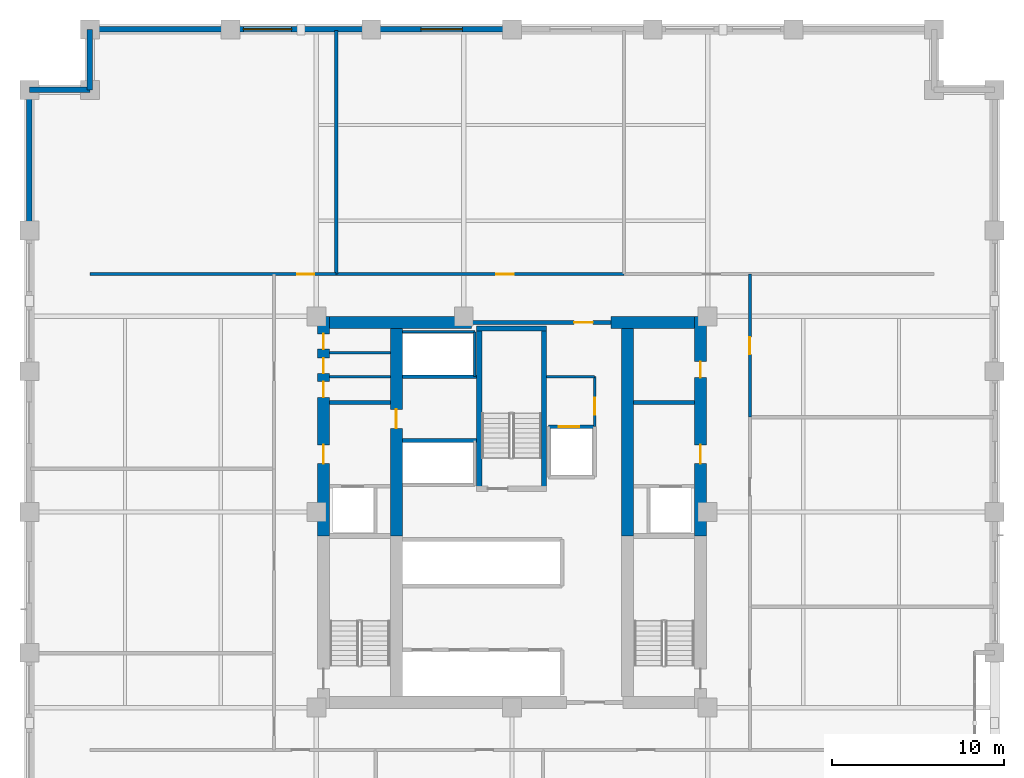
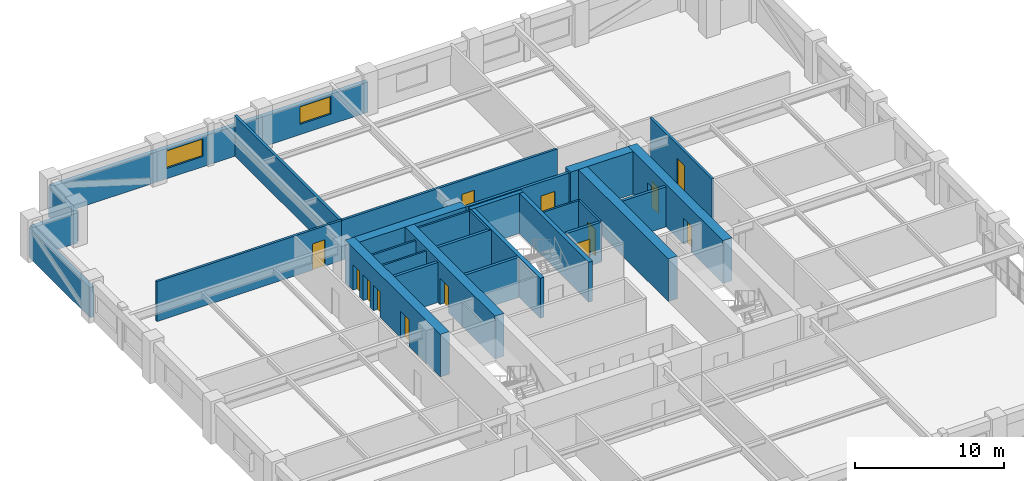
# One storey, part 9 of 13: 31 walls, 13 doors, 2 windows, 15 openings.
"""IFC4 building model written with IfcOpenShell, lengths in metres."""

from ifc_helpers import new_model, si_unit, direction, frame, frame_2d, origin, place, context, subcontext, project, spatial, rectangle, extrude, material, layer, layer_set, type_object, element, fill, save


model = new_model("IFC4")

# Units and contexts
model_context = context("Model", 3, precision=1e-05, world=origin(), true_north=direction((0.0, 1.0)))
body_context = subcontext(model_context, "Body", "Model", "MODEL_VIEW")
ifc_project = project(units=[si_unit("LENGTHUNIT", "METRE"), si_unit("AREAUNIT", "SQUARE_METRE"), si_unit("VOLUMEUNIT", "CUBIC_METRE"), si_unit("PLANEANGLEUNIT", "RADIAN"), si_unit("MASSUNIT", "GRAM", prefix="KILO")], contexts=[model_context])

# Site, building, storey
site_placement = place(None, origin())
site = spatial("IfcSite", under=ifc_project, at=site_placement, CompositionType="ELEMENT")
building_placement = place(site_placement, origin())
building = spatial("IfcBuilding", under=site, at=building_placement, Name="Nhamokura Convention Tower", CompositionType="ELEMENT")
storey_placement = place(building_placement, frame((0.0, 0.0, 92.75)))
storey = spatial("IfcBuildingStorey", under=building, at=storey_placement, Name="L22", CompositionType="ELEMENT", Elevation=92.75)

# Walls
ifc_material_1 = material(Name="Moisture-resistant tile-backer partition", Category="masonry")
ifc_layer_1 = layer(ifc_material_1, 0.139892578125)
ifc_layer_set_1 = layer_set([ifc_layer_1], Name="BathroomWetWall_140")
wall_type_1 = type_object("IfcWallType", Name="BathroomWetWall_140", PredefinedType="STANDARD", material=ifc_layer_set_1)
wall_1_placement = place(storey_placement, frame((21.409912109375, 39.85009765625, 0.0), z_axis=(0.0, 0.0, 1.0), x_axis=(1.0, 0.0, 0.0)))
element("IfcWall", 1, at=wall_1_placement, inside=storey, type_object=wall_type_1, Name="L22 Wall INT-L22-CWNW1", PredefinedType="STANDARD", context=body_context, shape_type="SweptSolid", body=[
    extrude(rectangle(XDim=3.530029296875, YDim=0.139892578125, at=frame_2d((1.76513671875, 0.0))), origin(), (0.0, 0.0, 1.0), 3.280029296875),
])
ifc_material_2 = material(Name="Bronze-pigmented precast concrete C45/55", Category="concrete")
ifc_layer_2 = layer(ifc_material_2, 0.320068359375)
ifc_layer_set_2 = layer_set([ifc_layer_2], Name="BronzePrecastSpandrel_320")
wall_type_2 = type_object("IfcWallType", Name="BronzePrecastSpandrel_320", PredefinedType="USERDEFINED", material=ifc_layer_set_2)
wall_2_placement = place(storey_placement, frame((7.5, 60.0, 0.0), z_axis=(0.0, 0.0, 1.0), x_axis=(1.0, 0.0, 0.0)))
element("IfcWall", 2, at=wall_2_placement, inside=storey, type_object=wall_type_2, Name="L22 Braced-Bay Precast Wall NORTH 0", ObjectType="SPANDREL_WALL", PredefinedType="USERDEFINED", context=body_context, shape_type="SweptSolid", body=[
    extrude(rectangle(XDim=8.166748046875, YDim=0.320068359375, at=frame_2d((4.08349609375, 0.0))), origin(), (0.0, 0.0, 1.0), 2.47998046875),
])

# Wall, opening, window
wall_3_placement = place(storey_placement, frame((15.666748046875, 60.0, 0.0), z_axis=(0.0, 0.0, 1.0), x_axis=(1.0, 0.0, 0.0)))
wall_3 = element("IfcWall", 3, at=wall_3_placement, inside=storey, type_object=wall_type_2, Name="L22 Masonry-Frame Wall NORTH 1", ObjectType="SPANDREL_WALL", PredefinedType="USERDEFINED", context=body_context, shape_type="SweptSolid", body=[
    extrude(rectangle(XDim=8.16650390625, YDim=0.320068359375, at=frame_2d((4.083251953125, 0.0))), origin(), (0.0, 0.0, 1.0), 2.47998046875),
])
opening_1_placement = place(wall_3_placement, frame((0.74169921875, 0.0, 0.85009765625)))
opening_1 = element("IfcOpeningElement", 4, at=opening_1_placement, cuts=wall_3, Name="Opening W-04", PredefinedType="OPENING", context=body_context, shape_type="SweptSolid", body=[
    extrude(rectangle(XDim=2.800048828125, YDim=1.429931640625, at=frame_2d((1.39990234375, 0.71484375))), frame((0.0, 0.169921875, 0.0), z_axis=(0.0, -1.0, 0.0), x_axis=(1.0, 0.0, 0.0)), (0.0, 0.0, 1.0), 0.340087890625),
])
ifc_material_3 = material(Name="Solar-control bronze low-E double glass", Category="glass")
window_type_1 = type_object("IfcWindowType", Name="HotelSuiteWindow_2800", PartitioningType="DOUBLE_PANEL_VERTICAL", PredefinedType="WINDOW", material=ifc_material_3)
window_1_placement = place(opening_1_placement, origin())
window_1 = element("IfcWindow", 5, at=window_1_placement, inside=storey, type_object=window_type_1, Name="L22 Facade Window NORTH 1-1", OverallHeight=1.429931640625, OverallWidth=2.800048828125, PartitioningType="SINGLE_PANEL", PredefinedType="WINDOW", context=body_context, shape_type="SweptSolid", body=[
    extrude(rectangle(XDim=2.800048828125, YDim=1.429931640625, at=frame_2d((1.39990234375, 0.71484375))), frame((0.0, 0.030029296875, 0.0), z_axis=(0.0, -1.0, 0.0), x_axis=(1.0, 0.0, 0.0)), (0.0, 0.0, 1.0), 0.06005859375),
])
fill(opening_1, window_1)

wall_4_placement = place(storey_placement, frame((23.833251953125, 60.0, 0.0), z_axis=(0.0, 0.0, 1.0), x_axis=(1.0, 0.0, 0.0)))
wall_4 = element("IfcWall", 6, at=wall_4_placement, inside=storey, type_object=wall_type_2, Name="L22 Masonry-Frame Wall NORTH 2", ObjectType="SPANDREL_WALL", PredefinedType="USERDEFINED", context=body_context, shape_type="SweptSolid", body=[
    extrude(rectangle(XDim=8.166748046875, YDim=0.320068359375, at=frame_2d((4.08349609375, 0.0))), origin(), (0.0, 0.0, 1.0), 2.47998046875),
])
opening_2_placement = place(wall_4_placement, frame((2.88330078125, 0.0, 0.85009765625)))
opening_2 = element("IfcOpeningElement", 7, at=opening_2_placement, cuts=wall_4, Name="Opening W-03", PredefinedType="OPENING", context=body_context, shape_type="SweptSolid", body=[
    extrude(rectangle(XDim=2.39990234375, YDim=1.429931640625, at=frame_2d((1.199951171875, 0.71484375))), frame((0.0, 0.169921875, 0.0), z_axis=(0.0, -1.0, 0.0), x_axis=(1.0, 0.0, 0.0)), (0.0, 0.0, 1.0), 0.340087890625),
])
ifc_material_4 = material(Name="Solar-control bronze low-E double glass", Category="glass")
window_type_2 = type_object("IfcWindowType", Name="HotelBayWindow_2400", PartitioningType="DOUBLE_PANEL_VERTICAL", PredefinedType="WINDOW", material=ifc_material_4)
window_2_placement = place(opening_2_placement, origin())
window_2 = element("IfcWindow", 8, at=window_2_placement, inside=storey, type_object=window_type_2, Name="L22 Facade Window NORTH 2", OverallHeight=1.429931640625, OverallWidth=2.39990234375, PartitioningType="SINGLE_PANEL", PredefinedType="WINDOW", context=body_context, shape_type="SweptSolid", body=[
    extrude(rectangle(XDim=2.39990234375, YDim=1.429931640625, at=frame_2d((1.199951171875, 0.71484375))), frame((0.0, 0.030029296875, 0.0), z_axis=(0.0, -1.0, 0.0), x_axis=(1.0, 0.0, 0.0)), (0.0, 0.0, 1.0), 0.06005859375),
])
fill(opening_2, window_2)

# Walls
wall_5_placement = place(storey_placement, frame((4.0, 48.333251953125, 0.0), z_axis=(0.0, 0.0, 1.0), x_axis=(0.0, 1.0, 0.0)))
element("IfcWall", 9, at=wall_5_placement, inside=storey, type_object=wall_type_2, Name="L22 Braced-Bay Precast Wall WEST 5", ObjectType="SPANDREL_WALL", PredefinedType="USERDEFINED", context=body_context, shape_type="SweptSolid", body=[
    extrude(rectangle(XDim=8.166748046875, YDim=0.320068359375, at=frame_2d((4.08349609375, 0.0))), origin(), (0.0, 0.0, 1.0), 2.47998046875),
])
for number, where, z_axis, x_axis, name in (
    (10, (7.5, 56.5, 0.0), (0.0, 0.0, 1.0), (0.0, 1.0, 0.0), "L22 Notched Corner Wall NW1"),
    (11, (4.0, 56.5, 0.0), (0.0, 0.0, 1.0), (1.0, 0.0, 0.0), "L22 Notched Corner Wall NW2"),
):
    element("IfcWall", number, at=place(storey_placement, frame(where, z_axis=z_axis, x_axis=x_axis)), inside=storey, type_object=wall_type_2, Name=name, ObjectType="SPANDREL_WALL", PredefinedType="USERDEFINED", context=body_context, shape_type="SweptSolid", body=[
        extrude(rectangle(XDim=3.5, YDim=0.320068359375, at=frame_2d((1.75, 0.0))), origin(), (0.0, 0.0, 1.0), 2.47998046875),
    ])

# Wall, openings, doors
ifc_material_5 = material(Name="Concrete C70/85", Category="concrete")
ifc_layer_3 = layer(ifc_material_5, 0.699951171875)
ifc_layer_set_3 = layer_set([ifc_layer_3], Name="CoreShearWall_700")
wall_type_3 = type_object("IfcWallType", Name="CoreShearWall_700", PredefinedType="SHEAR", material=ifc_layer_set_3)
wall_6_placement = place(storey_placement, frame((21.06005859375, 30.60009765625, 0.0), z_axis=(0.0, 0.0, 1.0), x_axis=(0.0, 1.0, 0.0)))
wall_6 = element("IfcWall", 12, at=wall_6_placement, inside=storey, type_object=wall_type_3, Name="L22 Core Shear Wall CW-WN", PredefinedType="SHEAR", context=body_context, shape_type="SweptSolid", body=[
    extrude(rectangle(XDim=12.75, YDim=0.699951171875, at=frame_2d((6.375, 0.0))), origin(), (0.0, 0.0, 1.0), 3.5),
])
opening_3_placement = place(wall_6_placement, frame((4.199951171875, 0.0, 0.0)))
opening_3 = element("IfcOpeningElement", 13, at=opening_3_placement, cuts=wall_6, Name="Opening D-05", PredefinedType="OPENING", context=body_context, shape_type="SweptSolid", body=[
    extrude(rectangle(XDim=1.10009765625, YDim=2.14990234375, at=frame_2d((0.550048828125, 1.074951171875))), frame((0.0, 0.35986328125, 0.0), z_axis=(0.0, -1.0, 0.0), x_axis=(1.0, 0.0, 0.0)), (0.0, 0.0, 1.0), 0.719970703125),
])
opening_4_placement = place(wall_6_placement, frame((8.050048828125, 0.0, 0.0)))
opening_4 = element("IfcOpeningElement", 14, at=opening_4_placement, cuts=wall_6, Name="Opening D-10", PredefinedType="OPENING", context=body_context, shape_type="SweptSolid", body=[
    extrude(rectangle(XDim=0.919921875, YDim=2.10009765625, at=frame_2d((0.4599609375, 1.050048828125))), frame((0.0, 0.35986328125, 0.0), z_axis=(0.0, -1.0, 0.0), x_axis=(1.0, 0.0, 0.0)), (0.0, 0.0, 1.0), 0.719970703125),
])
opening_5_placement = place(wall_6_placement, frame((9.449951171875, 0.0, 0.0)))
opening_5 = element("IfcOpeningElement", 15, at=opening_5_placement, cuts=wall_6, Name="Opening D-11", PredefinedType="OPENING", context=body_context, shape_type="SweptSolid", body=[
    extrude(rectangle(XDim=0.8798828125, YDim=2.10009765625, at=frame_2d((0.43994140625, 1.050048828125))), frame((0.0, 0.35986328125, 0.0), z_axis=(0.0, -1.0, 0.0), x_axis=(1.0, 0.0, 0.0)), (0.0, 0.0, 1.0), 0.719970703125),
])
opening_6_placement = place(wall_6_placement, frame((10.85009765625, 0.0, 0.0)))
opening_6 = element("IfcOpeningElement", 16, at=opening_6_placement, cuts=wall_6, Name="Opening D-11", PredefinedType="OPENING", context=body_context, shape_type="SweptSolid", body=[
    extrude(rectangle(XDim=0.8798828125, YDim=2.10009765625, at=frame_2d((0.43994140625, 1.050048828125))), frame((0.0, 0.35986328125, 0.0), z_axis=(0.0, -1.0, 0.0), x_axis=(1.0, 0.0, 0.0)), (0.0, 0.0, 1.0), 0.719970703125),
])
ifc_material_6 = material(Name="Solid oak hardwood", Category="wood")
door_type_1 = type_object("IfcDoorType", Name="AccessibleWCDoor_920", OperationType="NOTDEFINED", PredefinedType="DOOR", material=ifc_material_6)
door_1_placement = place(opening_4_placement, origin())
door_1 = element("IfcDoor", 17, at=door_1_placement, inside=storey, type_object=door_type_1, Name="L22 Core Door INT-L22-D-AWC", OperationType="SINGLE_SWING_LEFT", OverallHeight=2.10009765625, OverallWidth=0.919921875, PredefinedType="DOOR", context=body_context, shape_type="SweptSolid", body=[
    extrude(rectangle(XDim=0.919921875, YDim=2.10009765625, at=frame_2d((0.4599609375, 1.050048828125))), frame((0.0, 0.02490234375, 0.0), z_axis=(0.0, -1.0, 0.0), x_axis=(1.0, 0.0, 0.0)), (0.0, 0.0, 1.0), 0.050048828125),
])
fill(opening_4, door_1)
ifc_material_7 = material(Name="Solid oak hardwood", Category="wood")
door_type_2 = type_object("IfcDoorType", Name="BathroomDoor_880", OperationType="NOTDEFINED", PredefinedType="DOOR", material=ifc_material_7)
door_2_placement = place(opening_5_placement, origin())
door_2 = element("IfcDoor", 18, at=door_2_placement, inside=storey, type_object=door_type_2, Name="L22 Core Door INT-L22-D-CLN", OperationType="SINGLE_SWING_RIGHT", OverallHeight=2.10009765625, OverallWidth=0.8798828125, PredefinedType="DOOR", context=body_context, shape_type="SweptSolid", body=[
    extrude(rectangle(XDim=0.8798828125, YDim=2.10009765625, at=frame_2d((0.43994140625, 1.050048828125))), frame((0.0, 0.02490234375, 0.0), z_axis=(0.0, -1.0, 0.0), x_axis=(1.0, 0.0, 0.0)), (0.0, 0.0, 1.0), 0.050048828125),
])
fill(opening_5, door_2)
door_3_placement = place(opening_6_placement, origin())
door_3 = element("IfcDoor", 19, at=door_3_placement, inside=storey, type_object=door_type_2, Name="L22 Core Door INT-L22-D-PNT", OperationType="SINGLE_SWING_LEFT", OverallHeight=2.10009765625, OverallWidth=0.8798828125, PredefinedType="DOOR", context=body_context, shape_type="SweptSolid", body=[
    extrude(rectangle(XDim=0.8798828125, YDim=2.10009765625, at=frame_2d((0.43994140625, 1.050048828125))), frame((0.0, 0.02490234375, 0.0), z_axis=(0.0, -1.0, 0.0), x_axis=(1.0, 0.0, 0.0)), (0.0, 0.0, 1.0), 0.050048828125),
])
fill(opening_6, door_3)
ifc_material_8 = material(Name="Fire-rated steel door", Category="steel")
door_type_3 = type_object("IfcDoorType", Name="FireLobbyDoor_1100", OperationType="NOTDEFINED", PredefinedType="DOOR", material=ifc_material_8)
door_4_placement = place(opening_3_placement, origin())
door_4 = element("IfcDoor", 20, at=door_4_placement, inside=storey, type_object=door_type_3, Name="L22 Core Door INT-L22-D-FFLW", OperationType="SINGLE_SWING_RIGHT", OverallHeight=2.14990234375, OverallWidth=1.10009765625, PredefinedType="DOOR", context=body_context, shape_type="SweptSolid", body=[
    extrude(rectangle(XDim=1.10009765625, YDim=2.14990234375, at=frame_2d((0.550048828125, 1.074951171875))), frame((0.0, 0.02490234375, 0.0), z_axis=(0.0, -1.0, 0.0), x_axis=(1.0, 0.0, 0.0)), (0.0, 0.0, 1.0), 0.050048828125),
])
fill(opening_3, door_4)

wall_7_placement = place(storey_placement, frame((42.93994140625, 30.60009765625, 0.0), z_axis=(0.0, 0.0, 1.0), x_axis=(0.0, 1.0, 0.0)))
wall_7 = element("IfcWall", 21, at=wall_7_placement, inside=storey, type_object=wall_type_3, Name="L22 Core Shear Wall CW-EN", PredefinedType="SHEAR", context=body_context, shape_type="SweptSolid", body=[
    extrude(rectangle(XDim=12.75, YDim=0.699951171875, at=frame_2d((6.375, 0.0))), origin(), (0.0, 0.0, 1.0), 3.5),
])
opening_7_placement = place(wall_7_placement, frame((4.199951171875, 0.0, 0.0)))
opening_7 = element("IfcOpeningElement", 22, at=opening_7_placement, cuts=wall_7, Name="Opening D-05", PredefinedType="OPENING", context=body_context, shape_type="SweptSolid", body=[
    extrude(rectangle(XDim=1.10009765625, YDim=2.14990234375, at=frame_2d((0.550048828125, 1.074951171875))), frame((0.0, 0.35986328125, 0.0), z_axis=(0.0, -1.0, 0.0), x_axis=(1.0, 0.0, 0.0)), (0.0, 0.0, 1.0), 0.719970703125),
])
opening_8_placement = place(wall_7_placement, frame((9.199951171875, 0.0, 0.0)))
opening_8 = element("IfcOpeningElement", 23, at=opening_8_placement, cuts=wall_7, Name="Opening D-10", PredefinedType="OPENING", context=body_context, shape_type="SweptSolid", body=[
    extrude(rectangle(XDim=0.919921875, YDim=2.10009765625, at=frame_2d((0.4599609375, 1.050048828125))), frame((0.0, 0.35986328125, 0.0), z_axis=(0.0, -1.0, 0.0), x_axis=(1.0, 0.0, 0.0)), (0.0, 0.0, 1.0), 0.719970703125),
])
door_5_placement = place(opening_8_placement, origin())
door_5 = element("IfcDoor", 24, at=door_5_placement, inside=storey, type_object=door_type_1, Name="L22 Core Door INT-L22-D-UWC", OperationType="SINGLE_SWING_RIGHT", OverallHeight=2.10009765625, OverallWidth=0.919921875, PredefinedType="DOOR", context=body_context, shape_type="SweptSolid", body=[
    extrude(rectangle(XDim=0.919921875, YDim=2.10009765625, at=frame_2d((0.4599609375, 1.050048828125))), frame((0.0, 0.02490234375, 0.0), z_axis=(0.0, -1.0, 0.0), x_axis=(1.0, 0.0, 0.0)), (0.0, 0.0, 1.0), 0.050048828125),
])
fill(opening_8, door_5)
door_6_placement = place(opening_7_placement, origin())
door_6 = element("IfcDoor", 25, at=door_6_placement, inside=storey, type_object=door_type_3, Name="L22 Core Door INT-L22-D-FFLE", OperationType="SINGLE_SWING_LEFT", OverallHeight=2.14990234375, OverallWidth=1.10009765625, PredefinedType="DOOR", context=body_context, shape_type="SweptSolid", body=[
    extrude(rectangle(XDim=1.10009765625, YDim=2.14990234375, at=frame_2d((0.550048828125, 1.074951171875))), frame((0.0, 0.02490234375, 0.0), z_axis=(0.0, -1.0, 0.0), x_axis=(1.0, 0.0, 0.0)), (0.0, 0.0, 1.0), 0.050048828125),
])
fill(opening_7, door_6)

# Walls
wall_8_placement = place(storey_placement, frame((21.409912109375, 43.0, 0.0), z_axis=(0.0, 0.0, 1.0), x_axis=(1.0, 0.0, 0.0)))
element("IfcWall", 26, at=wall_8_placement, inside=storey, type_object=wall_type_3, Name="L22 Core Shear Wall CW-N1", PredefinedType="SHEAR", context=body_context, shape_type="SweptSolid", body=[
    extrude(rectangle(XDim=8.239990234375, YDim=0.699951171875, at=frame_2d((4.1201171875, 0.0))), origin(), (0.0, 0.0, 1.0), 3.5),
])
wall_9_placement = place(storey_placement, frame((37.75, 43.0, 0.0), z_axis=(0.0, 0.0, 1.0), x_axis=(1.0, 0.0, 0.0)))
element("IfcWall", 27, at=wall_9_placement, inside=storey, type_object=wall_type_3, Name="L22 Core Shear Wall CW-N2", PredefinedType="SHEAR", context=body_context, shape_type="SweptSolid", body=[
    extrude(rectangle(XDim=4.840087890625, YDim=0.699951171875, at=frame_2d((2.419921875, 0.0))), origin(), (0.0, 0.0, 1.0), 3.5),
])

# Wall, opening, door
wall_10_placement = place(storey_placement, frame((25.2900390625, 30.60009765625, 0.0), z_axis=(0.0, 0.0, 1.0), x_axis=(0.0, 1.0, 0.0)))
wall_10 = element("IfcWall", 28, at=wall_10_placement, inside=storey, type_object=wall_type_3, Name="L22 Core Shear Wall CW-IWN", PredefinedType="SHEAR", context=body_context, shape_type="SweptSolid", body=[
    extrude(rectangle(XDim=12.0498046875, YDim=0.699951171875, at=frame_2d((6.02490234375, 0.0))), origin(), (0.0, 0.0, 1.0), 3.5),
])
opening_9_placement = place(wall_10_placement, frame((6.25, 0.0, 0.0)))
opening_9 = element("IfcOpeningElement", 29, at=opening_9_placement, cuts=wall_10, Name="Opening D-05", PredefinedType="OPENING", context=body_context, shape_type="SweptSolid", body=[
    extrude(rectangle(XDim=1.10009765625, YDim=2.14990234375, at=frame_2d((0.550048828125, 1.074951171875))), frame((0.0, 0.35986328125, 0.0), z_axis=(0.0, -1.0, 0.0), x_axis=(1.0, 0.0, 0.0)), (0.0, 0.0, 1.0), 0.719970703125),
])
door_7_placement = place(opening_9_placement, origin())
door_7 = element("IfcDoor", 30, at=door_7_placement, inside=storey, type_object=door_type_3, Name="L22 Core Door INT-L22-D-B3LOB", OperationType="SINGLE_SWING_LEFT", OverallHeight=2.14990234375, OverallWidth=1.10009765625, PredefinedType="DOOR", context=body_context, shape_type="SweptSolid", body=[
    extrude(rectangle(XDim=1.10009765625, YDim=2.14990234375, at=frame_2d((0.550048828125, 1.074951171875))), frame((0.0, 0.02490234375, 0.0), z_axis=(0.0, -1.0, 0.0), x_axis=(1.0, 0.0, 0.0)), (0.0, 0.0, 1.0), 0.050048828125),
])
fill(opening_9, door_7)

# Wall
wall_11_placement = place(storey_placement, frame((38.7099609375, 30.60009765625, 0.0), z_axis=(0.0, 0.0, 1.0), x_axis=(0.0, 1.0, 0.0)))
element("IfcWall", 31, at=wall_11_placement, inside=storey, type_object=wall_type_3, Name="L22 Core Shear Wall CW-IEN", PredefinedType="SHEAR", context=body_context, shape_type="SweptSolid", body=[
    extrude(rectangle(XDim=12.0498046875, YDim=0.699951171875, at=frame_2d((6.02490234375, 0.0))), origin(), (0.0, 0.0, 1.0), 3.5),
])

# Wall, opening, door
ifc_material_9 = material(Name="Fire-rated gypsum and masonry partition", Category="masonry")
ifc_layer_4 = layer(ifc_material_9, 0.179931640625)
ifc_layer_set_4 = layer_set([ifc_layer_4], Name="CorridorRatedWall_180")
wall_type_4 = type_object("IfcWallType", Name="CorridorRatedWall_180", PredefinedType="STANDARD", material=ifc_layer_set_4)
wall_12_placement = place(storey_placement, frame((7.5, 45.800048828125, 0.0), z_axis=(0.0, 0.0, 1.0), x_axis=(1.0, 0.0, 0.0)))
wall_12 = element("IfcWall", 32, at=wall_12_placement, inside=storey, type_object=wall_type_4, Name="L22 Wall INT-L22-CW-N00", PredefinedType="STANDARD", context=body_context, shape_type="SweptSolid", body=[
    extrude(rectangle(XDim=14.300048828125, YDim=0.179931640625, at=frame_2d((7.14990234375, 0.0))), origin(), (0.0, 0.0, 1.0), 3.280029296875),
])
opening_10_placement = place(wall_12_placement, frame((12.02490234375, 0.0, 0.0)))
opening_10 = element("IfcOpeningElement", 33, at=opening_10_placement, cuts=wall_12, Name="Opening D-07", PredefinedType="OPENING", context=body_context, shape_type="SweptSolid", body=[
    extrude(rectangle(XDim=1.0, YDim=2.14990234375, at=frame_2d((0.5, 1.074951171875))), frame((0.0, 0.099853515625, 0.0), z_axis=(0.0, -1.0, 0.0), x_axis=(1.0, 0.0, 0.0)), (0.0, 0.0, 1.0), 0.199951171875),
])
ifc_material_10 = material(Name="Solid oak hardwood", Category="wood")
door_type_4 = type_object("IfcDoorType", Name="HotelSuiteEntryDoor_1000", OperationType="NOTDEFINED", PredefinedType="DOOR", material=ifc_material_10)
door_8_placement = place(opening_10_placement, origin())
door_8 = element("IfcDoor", 34, at=door_8_placement, inside=storey, type_object=door_type_4, Name="L22 Conference Salon N01 Door", OperationType="SINGLE_SWING_LEFT", OverallHeight=2.14990234375, OverallWidth=1.0, PredefinedType="DOOR", context=body_context, shape_type="SweptSolid", body=[
    extrude(rectangle(XDim=1.0, YDim=2.14990234375, at=frame_2d((0.5, 1.074951171875))), frame((0.0, 0.02490234375, 0.0), z_axis=(0.0, -1.0, 0.0), x_axis=(1.0, 0.0, 0.0)), (0.0, 0.0, 1.0), 0.050048828125),
])
fill(opening_10, door_8)

wall_13_placement = place(storey_placement, frame((21.800048828125, 45.800048828125, 0.0), z_axis=(0.0, 0.0, 1.0), x_axis=(1.0, 0.0, 0.0)))
wall_13 = element("IfcWall", 35, at=wall_13_placement, inside=storey, type_object=wall_type_4, Name="L22 Wall INT-L22-CW-N01", PredefinedType="STANDARD", context=body_context, shape_type="SweptSolid", body=[
    extrude(rectangle(XDim=16.699951171875, YDim=0.179931640625, at=frame_2d((8.35009765625, 0.0))), origin(), (0.0, 0.0, 1.0), 3.280029296875),
])
opening_11_placement = place(wall_13_placement, frame((9.300048828125, 0.0, 0.0)))
opening_11 = element("IfcOpeningElement", 36, at=opening_11_placement, cuts=wall_13, Name="Opening D-07", PredefinedType="OPENING", context=body_context, shape_type="SweptSolid", body=[
    extrude(rectangle(XDim=1.0, YDim=2.14990234375, at=frame_2d((0.5, 1.074951171875))), frame((0.0, 0.099853515625, 0.0), z_axis=(0.0, -1.0, 0.0), x_axis=(1.0, 0.0, 0.0)), (0.0, 0.0, 1.0), 0.199951171875),
])
door_9_placement = place(opening_11_placement, origin())
door_9 = element("IfcDoor", 37, at=door_9_placement, inside=storey, type_object=door_type_4, Name="L22 Delegate Lounge N02 Door", OperationType="SINGLE_SWING_RIGHT", OverallHeight=2.14990234375, OverallWidth=1.0, PredefinedType="DOOR", context=body_context, shape_type="SweptSolid", body=[
    extrude(rectangle(XDim=1.0, YDim=2.14990234375, at=frame_2d((0.5, 1.074951171875))), frame((0.0, 0.02490234375, 0.0), z_axis=(0.0, -1.0, 0.0), x_axis=(1.0, 0.0, 0.0)), (0.0, 0.0, 1.0), 0.050048828125),
])
fill(opening_11, door_9)

wall_14_placement = place(storey_placement, frame((45.800048828125, 37.5, 0.0), z_axis=(0.0, 0.0, 1.0), x_axis=(0.0, 1.0, 0.0)))
wall_14 = element("IfcWall", 38, at=wall_14_placement, inside=storey, type_object=wall_type_4, Name="L22 Wall INT-L22-CW-E02", PredefinedType="STANDARD", context=body_context, shape_type="SweptSolid", body=[
    extrude(rectangle(XDim=8.300048828125, YDim=0.179931640625, at=frame_2d((4.14990234375, 0.0))), origin(), (0.0, 0.0, 1.0), 3.280029296875),
])
opening_12_placement = place(wall_14_placement, frame((3.64990234375, 0.0, 0.0)))
opening_12 = element("IfcOpeningElement", 39, at=opening_12_placement, cuts=wall_14, Name="Opening D-07", PredefinedType="OPENING", context=body_context, shape_type="SweptSolid", body=[
    extrude(rectangle(XDim=1.0, YDim=2.14990234375, at=frame_2d((0.5, 1.074951171875))), frame((0.0, 0.099853515625, 0.0), z_axis=(0.0, -1.0, 0.0), x_axis=(1.0, 0.0, 0.0)), (0.0, 0.0, 1.0), 0.199951171875),
])
door_10_placement = place(opening_12_placement, origin())
door_10 = element("IfcDoor", 40, at=door_10_placement, inside=storey, type_object=door_type_4, Name="L22 Pantry E03 Door", OperationType="SINGLE_SWING_LEFT", OverallHeight=2.14990234375, OverallWidth=1.0, PredefinedType="DOOR", context=body_context, shape_type="SweptSolid", body=[
    extrude(rectangle(XDim=1.0, YDim=2.14990234375, at=frame_2d((0.5, 1.074951171875))), frame((0.0, 0.02490234375, 0.0), z_axis=(0.0, -1.0, 0.0), x_axis=(1.0, 0.0, 0.0)), (0.0, 0.0, 1.0), 0.050048828125),
])
fill(opening_12, door_10)

# Walls
ifc_material_11 = material(Name="Autoclaved concrete blockwork", Category="masonry")
ifc_layer_5 = layer(ifc_material_11, 0.219970703125)
ifc_layer_set_5 = layer_set([ifc_layer_5], Name="FireLobbyWall_220")
wall_type_5 = type_object("IfcWallType", Name="FireLobbyWall_220", PredefinedType="STANDARD", material=ifc_layer_set_5)
for number, where, z_axis, x_axis, name in (
    (41, (21.409912109375, 38.35009765625, 0.0), (0.0, 0.0, 1.0), (1.0, 0.0, 0.0), "L22 Wall INT-L22-FFW-N"),
    (42, (39.06005859375, 38.35009765625, 0.0), (0.0, 0.0, 1.0), (1.0, 0.0, 0.0), "L22 Wall INT-L22-FFE-N"),
):
    element("IfcWall", number, at=place(storey_placement, frame(where, z_axis=z_axis, x_axis=x_axis)), inside=storey, type_object=wall_type_5, Name=name, PredefinedType="STANDARD", context=body_context, shape_type="SweptSolid", body=[
        extrude(rectangle(XDim=3.530029296875, YDim=0.219970703125, at=frame_2d((1.76513671875, 0.0))), origin(), (0.0, 0.0, 1.0), 3.280029296875),
    ])
for number, where, z_axis, x_axis, name in (
    (43, (25.64990234375, 36.14990234375, 0.0), (0.0, 0.0, 1.0), (1.0, 0.0, 0.0), "L22 Wall INT-L22-B3S"),
    (44, (25.64990234375, 39.85009765625, 0.0), (0.0, 0.0, 1.0), (1.0, 0.0, 0.0), "L22 Wall INT-L22-B3N"),
):
    element("IfcWall", number, at=place(storey_placement, frame(where, z_axis=z_axis, x_axis=x_axis)), inside=storey, type_object=wall_type_5, Name=name, PredefinedType="STANDARD", context=body_context, shape_type="SweptSolid", body=[
        extrude(rectangle(XDim=4.300048828125, YDim=0.219970703125, at=frame_2d((2.14990234375, 0.0))), origin(), (0.0, 0.0, 1.0), 3.280029296875),
    ])

# Wall, opening, door
wall_15_placement = place(storey_placement, frame((29.64990234375, 43.0, 0.0), z_axis=(0.0, 0.0, 1.0), x_axis=(1.0, 0.0, 0.0)))
wall_15 = element("IfcWall", 45, at=wall_15_placement, inside=storey, type_object=wall_type_5, Name="L22 Wall INT-L22-CPORT-N", PredefinedType="STANDARD", context=body_context, shape_type="SweptSolid", body=[
    extrude(rectangle(XDim=8.10009765625, YDim=0.219970703125, at=frame_2d((4.050048828125, 0.0))), origin(), (0.0, 0.0, 1.0), 3.280029296875),
])
opening_13_placement = place(wall_15_placement, frame((5.949951171875, 0.0, 0.0)))
opening_13 = element("IfcOpeningElement", 46, at=opening_13_placement, cuts=wall_15, Name="Opening D-05", PredefinedType="OPENING", context=body_context, shape_type="SweptSolid", body=[
    extrude(rectangle(XDim=1.10009765625, YDim=2.14990234375, at=frame_2d((0.550048828125, 1.074951171875))), frame((0.0, 0.119873046875, 0.0), z_axis=(0.0, -1.0, 0.0), x_axis=(1.0, 0.0, 0.0)), (0.0, 0.0, 1.0), 0.239990234375),
])
door_11_placement = place(opening_13_placement, origin())
door_11 = element("IfcDoor", 47, at=door_11_placement, inside=storey, type_object=door_type_3, Name="L22 North Core Lobby Portal Door", OperationType="SINGLE_SWING_RIGHT", OverallHeight=2.14990234375, OverallWidth=1.10009765625, PredefinedType="DOOR", context=body_context, shape_type="SweptSolid", body=[
    extrude(rectangle(XDim=1.10009765625, YDim=2.14990234375, at=frame_2d((0.550048828125, 1.074951171875))), frame((0.0, 0.02490234375, 0.0), z_axis=(0.0, -1.0, 0.0), x_axis=(1.0, 0.0, 0.0)), (0.0, 0.0, 1.0), 0.050048828125),
])
fill(opening_13, door_11)

wall_16_placement = place(storey_placement, frame((34.1201171875, 36.949951171875, 0.0), z_axis=(0.0, 0.0, 1.0), x_axis=(1.0, 0.0, 0.0)))
wall_16 = element("IfcWall", 48, at=wall_16_placement, inside=storey, type_object=wall_type_5, Name="L22 Wall INT-L22-LSN", PredefinedType="STANDARD", context=body_context, shape_type="SweptSolid", body=[
    extrude(rectangle(XDim=2.679931640625, YDim=0.219970703125, at=frame_2d((1.33984375, 0.0))), origin(), (0.0, 0.0, 1.0), 3.280029296875),
])
opening_14_placement = place(wall_16_placement, frame((0.580078125, 0.0, 0.0)))
opening_14 = element("IfcOpeningElement", 49, at=opening_14_placement, cuts=wall_16, Name="Opening LD-02", PredefinedType="OPENING", context=body_context, shape_type="SweptSolid", body=[
    extrude(rectangle(XDim=1.199951171875, YDim=2.199951171875, at=frame_2d((0.60009765625, 1.10009765625))), frame((0.0, 0.119873046875, 0.0), z_axis=(0.0, -1.0, 0.0), x_axis=(1.0, 0.0, 0.0)), (0.0, 0.0, 1.0), 0.239990234375),
])
ifc_material_12 = material(Name="Anodised bronze stainless steel", Category="steel")
door_type_5 = type_object("IfcDoorType", Name="LiftLandingDoor_FireService", OperationType="DOUBLE_DOOR_SLIDING", PredefinedType="DOOR", material=ifc_material_12)
door_12_placement = place(opening_14_placement, origin())
door_12 = element("IfcDoor", 50, at=door_12_placement, inside=storey, type_object=door_type_5, Name="L22 Service Lift LS-01 Door", OperationType="DOUBLE_DOOR_SLIDING", OverallHeight=2.199951171875, OverallWidth=1.199951171875, PredefinedType="DOOR", context=body_context, shape_type="SweptSolid", body=[
    extrude(rectangle(XDim=1.199951171875, YDim=2.199951171875, at=frame_2d((0.60009765625, 1.10009765625))), frame((0.0, 0.02490234375, 0.0), z_axis=(0.0, -1.0, 0.0), x_axis=(1.0, 0.0, 0.0)), (0.0, 0.0, 1.0), 0.050048828125),
])
fill(opening_14, door_12)

# Walls
ifc_material_13 = material(Name="Acoustic twin-stud gypsum partition", Category="masonry")
ifc_layer_6 = layer(ifc_material_13, 0.199951171875)
ifc_layer_set_6 = layer_set([ifc_layer_6], Name="HotelDemisingWall_200")
wall_type_6 = type_object("IfcWallType", Name="HotelDemisingWall_200", PredefinedType="STANDARD", material=ifc_layer_set_6)
wall_17_placement = place(storey_placement, frame((21.800048828125, 45.800048828125, 0.0), z_axis=(0.0, 0.0, 1.0), x_axis=(0.0, 1.0, 0.0)))
element("IfcWall", 51, at=wall_17_placement, inside=storey, type_object=wall_type_6, Name="L22 Wall INT-L22-RW-N01", PredefinedType="STANDARD", context=body_context, shape_type="SweptSolid", body=[
    extrude(rectangle(XDim=14.139892578125, YDim=0.199951171875, at=frame_2d((7.06982421875, 0.0))), origin(), (0.0, 0.0, 1.0), 3.280029296875),
])
ifc_material_14 = material(Name="Acoustic gypsum stud partition", Category="masonry")
ifc_layer_7 = layer(ifc_material_14, 0.14990234375)
ifc_layer_set_7 = layer_set([ifc_layer_7], Name="InteriorPartition_150")
wall_type_7 = type_object("IfcWallType", Name="InteriorPartition_150", PredefinedType="STANDARD", material=ifc_layer_set_7)
wall_18_placement = place(storey_placement, frame((21.409912109375, 41.25, 0.0), z_axis=(0.0, 0.0, 1.0), x_axis=(1.0, 0.0, 0.0)))
element("IfcWall", 52, at=wall_18_placement, inside=storey, type_object=wall_type_7, Name="L22 Wall INT-L22-CWNW2", PredefinedType="STANDARD", context=body_context, shape_type="SweptSolid", body=[
    extrude(rectangle(XDim=3.530029296875, YDim=0.14990234375, at=frame_2d((1.76513671875, 0.0))), origin(), (0.0, 0.0, 1.0), 3.280029296875),
])
wall_19_placement = place(storey_placement, frame((34.0, 39.85009765625, 0.0), z_axis=(0.0, 0.0, 1.0), x_axis=(1.0, 0.0, 0.0)))
element("IfcWall", 53, at=wall_19_placement, inside=storey, type_object=wall_type_7, Name="L22 Wall INT-L22-NE-TELN", PredefinedType="STANDARD", context=body_context, shape_type="SweptSolid", body=[
    extrude(rectangle(XDim=2.800048828125, YDim=0.14990234375, at=frame_2d((1.39990234375, 0.0))), origin(), (0.0, 0.0, 1.0), 3.280029296875),
])

# Wall, opening, door
wall_20_placement = place(storey_placement, frame((36.800048828125, 36.949951171875, 0.0), z_axis=(0.0, 0.0, 1.0), x_axis=(0.0, 1.0, 0.0)))
wall_20 = element("IfcWall", 54, at=wall_20_placement, inside=storey, type_object=wall_type_7, Name="L22 Wall INT-L22-NE-TELE", PredefinedType="STANDARD", context=body_context, shape_type="SweptSolid", body=[
    extrude(rectangle(XDim=2.900146484375, YDim=0.14990234375, at=frame_2d((1.4501953125, 0.0))), origin(), (0.0, 0.0, 1.0), 3.280029296875),
])
opening_15_placement = place(wall_20_placement, frame((0.699951171875, 0.0, 0.0)))
opening_15 = element("IfcOpeningElement", 55, at=opening_15_placement, cuts=wall_20, Name="Opening D-08", PredefinedType="OPENING", context=body_context, shape_type="SweptSolid", body=[
    extrude(rectangle(XDim=0.97998046875, YDim=2.199951171875, at=frame_2d((0.489990234375, 1.10009765625))), frame((0.0, 0.0849609375, 0.0), z_axis=(0.0, -1.0, 0.0), x_axis=(1.0, 0.0, 0.0)), (0.0, 0.0, 1.0), 0.169921875),
])
ifc_material_15 = material(Name="Solid oak hardwood", Category="wood")
door_type_6 = type_object("IfcDoorType", Name="OfficeEntryDoor_980", OperationType="NOTDEFINED", PredefinedType="DOOR", material=ifc_material_15)
door_13_placement = place(opening_15_placement, origin())
door_13 = element("IfcDoor", 56, at=door_13_placement, inside=storey, type_object=door_type_6, Name="L22 Core Telecom Door", OperationType="SINGLE_SWING_LEFT", OverallHeight=2.199951171875, OverallWidth=0.97998046875, PredefinedType="DOOR", context=body_context, shape_type="SweptSolid", body=[
    extrude(rectangle(XDim=0.97998046875, YDim=2.199951171875, at=frame_2d((0.489990234375, 1.10009765625))), frame((0.0, 0.02490234375, 0.0), z_axis=(0.0, -1.0, 0.0), x_axis=(1.0, 0.0, 0.0)), (0.0, 0.0, 1.0), 0.050048828125),
])
fill(opening_15, door_13)

# Walls
wall_21_placement = place(storey_placement, frame((25.64990234375, 42.449951171875, 0.0), z_axis=(0.0, 0.0, 1.0), x_axis=(1.0, 0.0, 0.0)))
element("IfcWall", 57, at=wall_21_placement, inside=storey, type_object=wall_type_7, Name="L22 Wall INT-L22-B3B-N", PredefinedType="STANDARD", context=body_context, shape_type="SweptSolid", body=[
    extrude(rectangle(XDim=4.2001953125, YDim=0.14990234375, at=frame_2d((2.10009765625, 0.0))), origin(), (0.0, 0.0, 1.0), 3.280029296875),
])
wall_22_placement = place(storey_placement, frame((29.85009765625, 39.85009765625, 0.0), z_axis=(0.0, 0.0, 1.0), x_axis=(0.0, 1.0, 0.0)))
element("IfcWall", 58, at=wall_22_placement, inside=storey, type_object=wall_type_7, Name="L22 Wall INT-L22-B3B-E", PredefinedType="STANDARD", context=body_context, shape_type="SweptSolid", body=[
    extrude(rectangle(XDim=2.599853515625, YDim=0.14990234375, at=frame_2d((1.2998046875, 0.0))), origin(), (0.0, 0.0, 1.0), 3.280029296875),
])
ifc_material_16 = material(Name="Concrete C50/60", Category="concrete")
ifc_layer_8 = layer(ifc_material_16, 0.300048828125)
ifc_layer_set_8 = layer_set([ifc_layer_8], Name="ShaftEnclosureWall_300")
wall_type_8 = type_object("IfcWallType", Name="ShaftEnclosureWall_300", PredefinedType="SHEAR", material=ifc_layer_set_8)
for number, where, z_axis, x_axis, name in (
    (59, (30.10009765625, 33.199951171875, 0.0), (0.0, 0.0, 1.0), (0.0, 1.0, 0.0), "L22 Wall INT-L22-ST03W"),
    (60, (33.85009765625, 33.199951171875, 0.0), (0.0, 0.0, 1.0), (0.0, 1.0, 0.0), "L22 Wall INT-L22-ST03E"),
):
    element("IfcWall", number, at=place(storey_placement, frame(where, z_axis=z_axis, x_axis=x_axis)), inside=storey, type_object=wall_type_8, Name=name, PredefinedType="SHEAR", context=body_context, shape_type="SweptSolid", body=[
        extrude(rectangle(XDim=9.60009765625, YDim=0.300048828125, at=frame_2d((4.800048828125, 0.0))), origin(), (0.0, 0.0, 1.0), 3.280029296875),
    ])
wall_23_placement = place(storey_placement, frame((29.949951171875, 42.64990234375, 0.0), z_axis=(0.0, 0.0, 1.0), x_axis=(1.0, 0.0, 0.0)))
element("IfcWall", 61, at=wall_23_placement, inside=storey, type_object=wall_type_8, Name="L22 Wall INT-L22-ST03N", PredefinedType="SHEAR", context=body_context, shape_type="SweptSolid", body=[
    extrude(rectangle(XDim=4.050048828125, YDim=0.300048828125, at=frame_2d((2.02490234375, 0.0))), origin(), (0.0, 0.0, 1.0), 3.280029296875),
])

save(model, "model.ifc")
